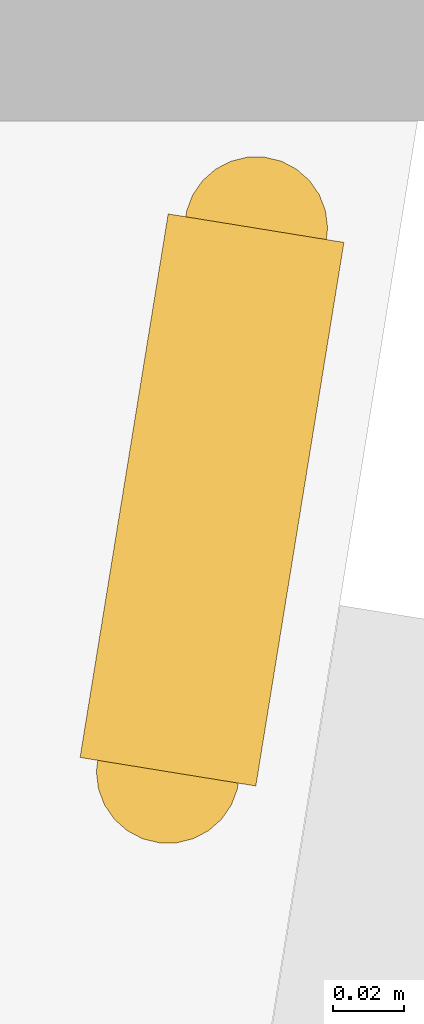
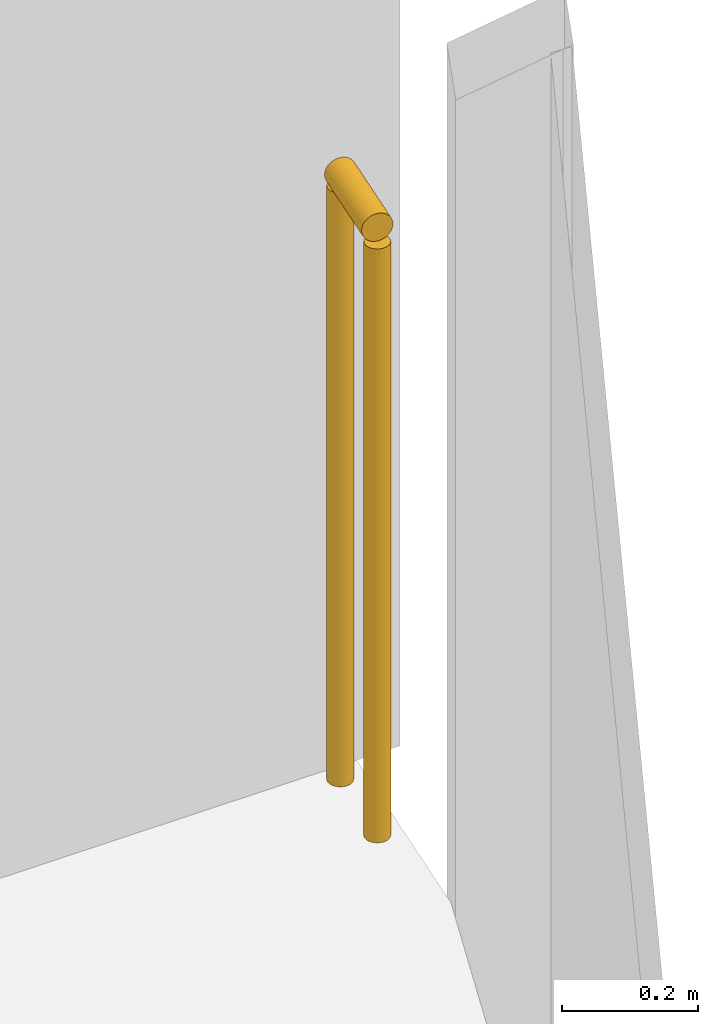
# One storey, part 33 of 34: 1 railing.
"""IFC4 building model written with IfcOpenShell, lengths in metres."""

from ifc_helpers import new_model, si_unit, direction, frame, origin, origin_2d, place, context, subcontext, project, spatial, circle, extrude, material, type_object, element, save


model = new_model("IFC4")

# Units and contexts
model_context = context("Model", 3, precision=1e-05, world=origin(), true_north=direction((0.0, 1.0)))
body_context = subcontext(model_context, "Body", "Model", "MODEL_VIEW")
ifc_project = project(units=[si_unit("LENGTHUNIT", "METRE"), si_unit("AREAUNIT", "SQUARE_METRE"), si_unit("VOLUMEUNIT", "CUBIC_METRE"), si_unit("PLANEANGLEUNIT", "RADIAN"), si_unit("MASSUNIT", "GRAM", prefix="KILO")], contexts=[model_context])

# Site, building, storey
site_placement = place(None, origin())
site = spatial("IfcSite", under=ifc_project, at=site_placement, CompositionType="ELEMENT")
building_placement = place(site_placement, origin())
building = spatial("IfcBuilding", under=site, at=building_placement, Name="Orlundy Tower", CompositionType="ELEMENT")
storey_placement = place(building_placement, frame((0.0, 0.0, 130.699951171875)))
storey = spatial("IfcBuildingStorey", under=building, at=storey_placement, Name="L33", CompositionType="ELEMENT", Elevation=130.699951171875)

# Railing
ifc_material = material(Name="Stainless steel bronze finish", Category="steel")
railing_type = type_object("IfcRailingType", Name="TG1 terrace guard", PredefinedType="GUARDRAIL", material=ifc_material)
railing_placement = place(storey_placement, frame((57.083984375, -19.489013671875, 0.0)))
element("IfcRailing", 1, at=railing_placement, inside=storey, type_object=railing_type, Name="Guard TG-L33-E01", PredefinedType="GUARDRAIL", context=body_context, shape_type="SweptSolid", body=[
    extrude(circle(Radius=0.02490234375, at=origin_2d()), frame((0.0, 0.0, 1.09521484375), z_axis=(-0.160029432686, -0.987112243199, 0.0), x_axis=(0.987112243199, -0.160029432686, 0.0)), (0.0, 0.0, 1.0), 0.154052734375),
    extrude(circle(Radius=0.02001953125, at=origin_2d()), origin(), (0.0, 0.0, 1.0), 1.070068359375),
    extrude(circle(Radius=0.02001953125, at=origin_2d()), frame((-0.024658203125, -0.152099609375, 0.0)), (0.0, 0.0, 1.0), 1.070068359375),
])

save(model, "model.ifc")
